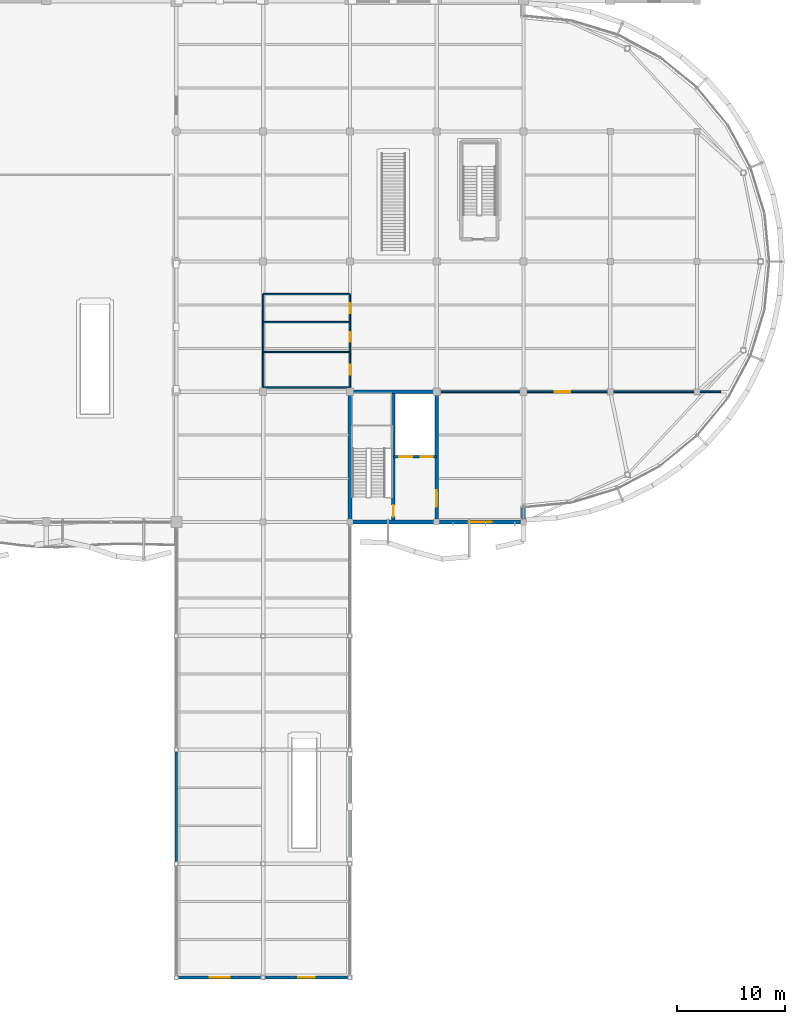
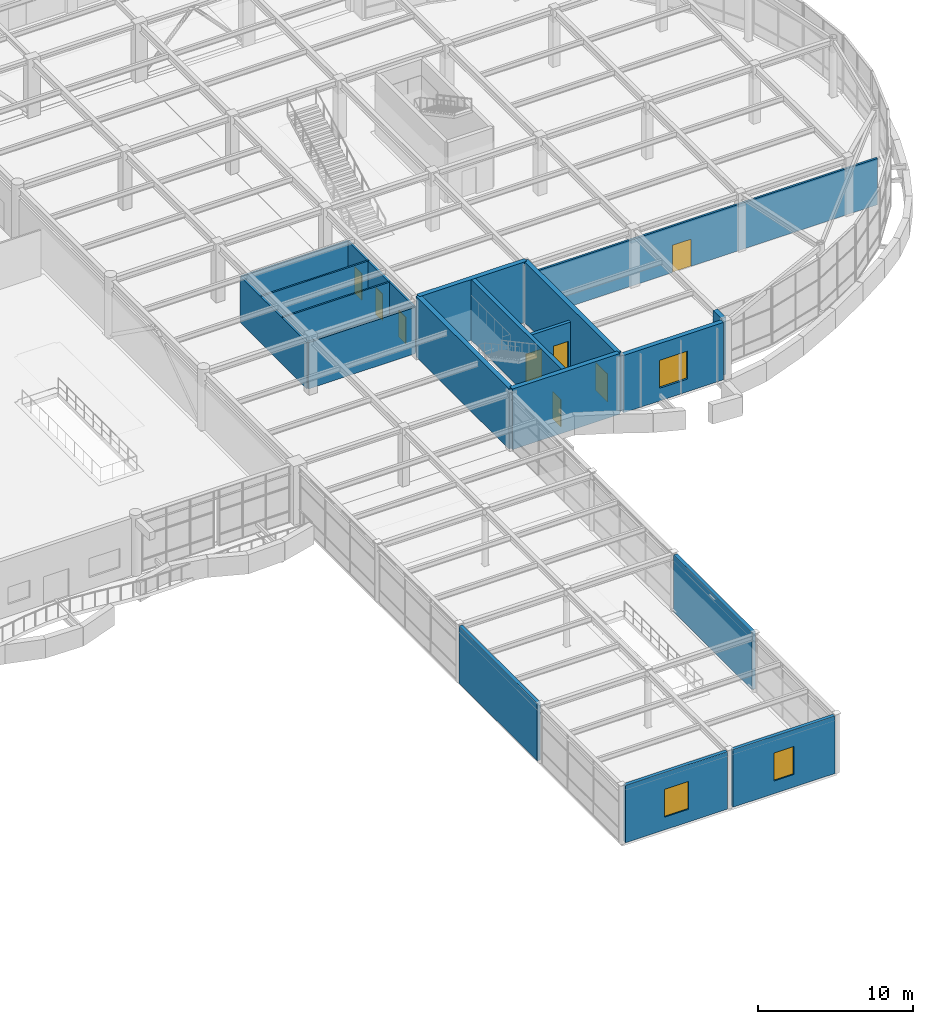
# One storey, part 53 of 72: 19 walls, 8 doors, 3 windows, 11 openings.
"""IFC4 building model written with IfcOpenShell, lengths in metres."""

import ifcopenshell
import ifcopenshell.guid

model = None  # the IFC model being written
_history = None  # IfcOwnerHistory: only IFC2X3 demands one
_inside = {}  # id of a spatial element -> (the spatial element, [elements in it])
_under = {}  # id of a project, library or spatial element -> (it, [spatial elements below it])
_declared = {}  # id of a project -> (the project, [libraries it declares])
_typed = {}  # id of a type object -> (the type object, [elements of that type])
_made_of = {}  # id of a material, layer set ... -> (it, [elements and type objects made of it])


def new_model(schema):
    """Start an empty IFC model of exactly this schema.

    Asked for "IFC4X3", IfcOpenShell would pick the latest addendum, in which some entities
    have other attributes; the version numbers below select the first issue.
    IFC2X3 requires an IfcOwnerHistory on every rooted entity: one is made here for all.
    """
    global model, _history
    if schema == "IFC4X3":
        model = ifcopenshell.file(schema_version=(4, 3, 0, 0))
    else:
        model = ifcopenshell.file(schema=schema)
    _inside.clear()
    _under.clear()
    _declared.clear()
    _typed.clear()
    _made_of.clear()
    _history = None
    if model.schema == "IFC2X3":
        org = make("IfcOrganization", Name="unknown")
        user = make(
            "IfcPersonAndOrganization",
            ThePerson=make("IfcPerson", FamilyName="unknown"),
            TheOrganization=org,
        )
        app = make(
            "IfcApplication",
            ApplicationDeveloper=org,
            Version="unknown",
            ApplicationFullName="unknown",
            ApplicationIdentifier="unknown",
        )
        _history = make(
            "IfcOwnerHistory",
            OwningUser=user,
            OwningApplication=app,
            ChangeAction="ADDED",
            CreationDate=0,
        )
    return model


def make(cls, **values):
    """One entity of the class cls with the attributes given. An attribute that is None is left unset."""
    return model.create_entity(
        cls, **{name: value for name, value in values.items() if value is not None}
    )


def rooted(cls, **values):
    """An entity with a GlobalId (a new one), such as an element, a storey or a relation."""
    return make(cls, GlobalId=ifcopenshell.guid.new(), OwnerHistory=_history, **values)


def si_unit(unit_type, name, prefix=None):
    """IfcSIUnit, for example si_unit("LENGTHUNIT", "METRE", prefix="MILLI")."""
    return make("IfcSIUnit", UnitType=unit_type, Prefix=prefix, Name=name)


def assignment(units):
    """IfcUnitAssignment: the units of a project."""
    return None if units is None else make("IfcUnitAssignment", Units=units)


def point(xyz):
    """IfcCartesianPoint."""
    return None if xyz is None else make("IfcCartesianPoint", Coordinates=xyz)


def direction(xyz):
    """IfcDirection."""
    return None if xyz is None else make("IfcDirection", DirectionRatios=xyz)


def frame(location, z_axis=None, x_axis=None):
    """IfcAxis2Placement3D, a coordinate frame: its origin and axes. An axis left out is left unset."""
    return make(
        "IfcAxis2Placement3D",
        Location=point(location),
        Axis=direction(z_axis),
        RefDirection=direction(x_axis),
    )


def frame_2d(location, x_axis=None):
    """IfcAxis2Placement2D, a coordinate frame in the plane: its origin and x axis."""
    return make(
        "IfcAxis2Placement2D", Location=point(location), RefDirection=direction(x_axis)
    )


def origin():
    """The frame at (0, 0, 0) with its axes left unset."""
    return frame((0.0, 0.0, 0.0))


def place(relative_to, where):
    """IfcLocalPlacement: puts the frame where relative to a parent placement (None: the world)."""
    return make(
        "IfcLocalPlacement", PlacementRelTo=relative_to, RelativePlacement=where
    )


def context(
    kind, dimensions, precision=None, world=None, true_north=None, identifier=None
):
    """IfcGeometricRepresentationContext, for example the 3D "Model" context."""
    return make(
        "IfcGeometricRepresentationContext",
        ContextIdentifier=identifier,
        ContextType=kind,
        CoordinateSpaceDimension=dimensions,
        Precision=precision,
        WorldCoordinateSystem=world,
        TrueNorth=true_north,
    )


def subcontext(parent, identifier, kind, view, scale=None):
    """IfcGeometricRepresentationSubContext, for example "Body" below "Model"."""
    return make(
        "IfcGeometricRepresentationSubContext",
        ContextIdentifier=identifier,
        ContextType=kind,
        ParentContext=parent,
        TargetScale=scale,
        TargetView=view,
    )


def project(units=None, contexts=None):
    """IfcProject with its units and contexts."""
    return rooted(
        "IfcProject",
        Name="project",
        RepresentationContexts=contexts,
        UnitsInContext=assignment(units),
    )


def spatial(cls, under=None, at=None, **own):
    """A site, building, storey or space (cls), placed at a placement, below another one or the project."""
    s = rooted(cls, ObjectPlacement=at, **own)
    if under is not None:
        _under.setdefault(under.id(), (under, []))[1].append(s)
    return s


def profile(cls, at=None, kind="AREA", **sizes):
    """A parametric profile (cls). Its sizes go by their IFC names, for example OverallWidth=200.0."""
    return make(cls, ProfileType=kind, Position=at, **sizes)


def rectangle(**sizes):
    """IfcRectangleProfileDef."""
    return profile("IfcRectangleProfileDef", **sizes)


def extrude(swept, where, along, depth):
    """IfcExtrudedAreaSolid: the profile swept, set in the frame where, extruded along a direction by depth."""
    return make(
        "IfcExtrudedAreaSolid",
        SweptArea=swept,
        Position=where,
        ExtrudedDirection=direction(along),
        Depth=depth,
    )


def shape(context_of_items, identifier, shape_type, items):
    """IfcShapeRepresentation: the items that make up one representation, for example the "Body"."""
    return make(
        "IfcShapeRepresentation",
        ContextOfItems=context_of_items,
        RepresentationIdentifier=identifier,
        RepresentationType=shape_type,
        Items=items,
    )


def material(Name=None, Category=None):
    """IfcMaterial."""
    return make("IfcMaterial", Name=Name, Category=Category)


def layer(
    of_material, thickness, ventilated=None, Name=None, Category=None, Priority=None
):
    """IfcMaterialLayer: one layer of a wall or slab, of a material (None: an air gap)."""
    return make(
        "IfcMaterialLayer",
        Material=of_material,
        LayerThickness=thickness,
        IsVentilated=ventilated,
        Name=Name,
        Category=Category,
        Priority=Priority,
    )


def layer_set(layers, Name=None):
    """IfcMaterialLayerSet."""
    return make("IfcMaterialLayerSet", MaterialLayers=layers, LayerSetName=Name)


def made_of(thing, what):
    """Note that an element or type object is made of a material, layer set ...; save() writes the relation."""
    if what is not None:
        _made_of.setdefault(what.id(), (what, []))[1].append(thing)
    return thing


def type_object(cls, material=None, **own):
    """A type object (cls), such as IfcWallType, which elements share."""
    return made_of(rooted(cls, **own), material)


def element(
    cls,
    number,
    at=None,
    inside=None,
    cuts=None,
    type_object=None,
    material=None,
    context=None,
    identifier="Body",
    shape_type=None,
    held_by="IfcProductDefinitionShape",
    body=None,
    shapes=None,
    **own,
):
    """One element of the class cls, such as IfcWall. Its Tag is "e" and its number.

    at: its placement. inside: the storey or other place that contains it. cuts: it is an
    opening in that element (IfcRelVoidsElement). A single representation is given by context,
    identifier, shape_type and body (its items); several are given by shapes. held_by: the class
    of the entity that holds the representations. save() writes the other relations.
    """
    e = rooted(cls, Tag="e%d" % number, ObjectPlacement=at, **own)
    if body is not None:
        shapes = [shape(context, identifier, shape_type, body)]
    if shapes is not None:
        e.Representation = make(held_by, Representations=shapes)
    if inside is not None:
        _inside.setdefault(inside.id(), (inside, []))[1].append(e)
    if cuts is not None:
        rooted(
            "IfcRelVoidsElement", RelatingBuildingElement=cuts, RelatedOpeningElement=e
        )
    if type_object is not None:
        _typed.setdefault(type_object.id(), (type_object, []))[1].append(e)
    return made_of(e, material)


def fill(opening, filler):
    """IfcRelFillsElement: the door or window that sits in an opening."""
    return rooted(
        "IfcRelFillsElement",
        RelatingOpeningElement=opening,
        RelatedBuildingElement=filler,
    )


def aggregate(whole, parts):
    """IfcRelAggregates: a whole, such as a stair, and the parts it consists of."""
    return rooted("IfcRelAggregates", RelatingObject=whole, RelatedObjects=parts)


def save(model, path):
    """Write the relations noted so far, then the file.

    IfcRelAggregates (storeys below a building ...), IfcRelContainedInSpatialStructure (elements
    in a storey), IfcRelDefinesByType, IfcRelAssociatesMaterial and IfcRelDeclares: one each for
    every whole, place, type object, material and project.
    """
    for whole, parts in _under.values():
        aggregate(whole, parts)
    for where, things in _inside.values():
        rooted(
            "IfcRelContainedInSpatialStructure",
            RelatedElements=things,
            RelatingStructure=where,
        )
    for kind, things in _typed.values():
        rooted("IfcRelDefinesByType", RelatedObjects=things, RelatingType=kind)
    for what, things in _made_of.values():
        rooted("IfcRelAssociatesMaterial", RelatedObjects=things, RelatingMaterial=what)
    for by, libraries in _declared.values():
        rooted("IfcRelDeclares", RelatingContext=by, RelatedDefinitions=libraries)
    model.write(path)


model = new_model("IFC4")

# Units and contexts
model_context = context("Model", 3, precision=1e-05, world=origin(), true_north=direction((0.0, 1.0)))
body_context = subcontext(model_context, "Body", "Model", "MODEL_VIEW")
ifc_project = project(units=[si_unit("LENGTHUNIT", "METRE"), si_unit("AREAUNIT", "SQUARE_METRE"), si_unit("VOLUMEUNIT", "CUBIC_METRE"), si_unit("PLANEANGLEUNIT", "RADIAN"), si_unit("MASSUNIT", "GRAM", prefix="KILO")], contexts=[model_context])

# Site, building, storey
site_placement = place(None, origin())
site = spatial("IfcSite", under=ifc_project, at=site_placement, CompositionType="ELEMENT")
building_placement = place(site_placement, origin())
building = spatial("IfcBuilding", under=site, at=building_placement, Name="Keelwater Ferry Terminal", CompositionType="ELEMENT")
storey_placement = place(building_placement, frame((0.0, 0.0, 5.39990234375)))
storey = spatial("IfcBuildingStorey", under=building, at=storey_placement, Name="L01", CompositionType="ELEMENT", Elevation=5.39990234375)

# Walls
ifc_material_1 = material(Name="Precast concrete C40/50", Category="concrete")
ifc_layer_1 = layer(ifc_material_1, 0.260009765625)
ifc_layer_set_1 = layer_set([ifc_layer_1], Name="Precast concrete C40/50")
wall_type_1 = type_object("IfcWallType", Name="EW-BR260 External Solid Wall 260", PredefinedType="SOLIDWALL", material=ifc_layer_set_1)
for number, where, z_axis, x_axis, name in (
    (1, (132.0, 10.702880859375, 0.0), (0.0, 0.0, 1.0), (0.0, 1.0, 0.0), "External Wall WL-L01-0006"),
    (2, (148.0, 10.702880859375, 0.0), (0.0, 0.0, 1.0), (0.0, 1.0, 0.0), "External Wall WL-L01-0008"),
):
    element("IfcWall", number, at=place(storey_placement, frame(where, z_axis=z_axis, x_axis=x_axis)), inside=storey, type_object=wall_type_1, Name=name, PredefinedType="SOLIDWALL", context=body_context, shape_type="SweptSolid", body=[
        extrude(rectangle(XDim=10.09423828125, YDim=0.260009765625, at=frame_2d((5.047119140625, 0.0))), origin(), (0.0, 0.0, 1.0), 4.52001953125),
    ])

# Wall, opening, window
wall_1_placement = place(storey_placement, frame((139.797119140625, 0.0, 0.0), z_axis=(0.0, 0.0, 1.0), x_axis=(-1.0, 0.0, 0.0)))
wall_1 = element("IfcWall", 3, at=wall_1_placement, inside=storey, type_object=wall_type_1, Name="External Wall WL-L01-0014", PredefinedType="SOLIDWALL", context=body_context, shape_type="SweptSolid", body=[
    extrude(rectangle(XDim=7.59423828125, YDim=0.260009765625, at=frame_2d((3.797119140625, 0.0))), origin(), (0.0, 0.0, 1.0), 4.52001953125),
])
opening_1_placement = place(wall_1_placement, frame((2.89697265625, 0.0, 1.0)))
opening_1 = element("IfcOpeningElement", 4, at=opening_1_placement, cuts=wall_1, Name="Opening WN-03", PredefinedType="OPENING", context=body_context, shape_type="SweptSolid", body=[
    extrude(rectangle(XDim=1.800048828125, YDim=2.199951171875, at=frame_2d((0.89990234375, 1.10009765625))), frame((0.0, 0.139892578125, 0.0), z_axis=(0.0, -1.0, 0.0), x_axis=(1.0, 0.0, 0.0)), (0.0, 0.0, 1.0), 0.280029296875),
])
ifc_material_2 = material(Name="Triple low-E glass in thermally broken aluminium frame", Category="aluminium")
window_type_1 = type_object("IfcWindowType", Name="WN-03 Exterior Window 1800x2200", PartitioningType="SINGLE_PANEL", PredefinedType="WINDOW", material=ifc_material_2)
window_1_placement = place(opening_1_placement, origin())
window_1 = element("IfcWindow", 5, at=window_1_placement, inside=storey, type_object=window_type_1, Name="Window WN-L01-0003", OverallHeight=2.199951171875, OverallWidth=1.800048828125, PartitioningType="SINGLE_PANEL", PredefinedType="WINDOW", context=body_context, shape_type="SweptSolid", body=[
    extrude(rectangle(XDim=1.800048828125, YDim=2.199951171875, at=frame_2d((0.89990234375, 1.10009765625))), frame((0.0, 0.030029296875, 0.0), z_axis=(0.0, -1.0, 0.0), x_axis=(1.0, 0.0, 0.0)), (0.0, 0.0, 1.0), 0.06005859375),
])
fill(opening_1, window_1)

wall_2_placement = place(storey_placement, frame((147.797119140625, 0.0, 0.0), z_axis=(0.0, 0.0, 1.0), x_axis=(-1.0, 0.0, 0.0)))
wall_2 = element("IfcWall", 6, at=wall_2_placement, inside=storey, type_object=wall_type_1, Name="External Wall WL-L01-0016", PredefinedType="SOLIDWALL", context=body_context, shape_type="SweptSolid", body=[
    extrude(rectangle(XDim=7.59423828125, YDim=0.260009765625, at=frame_2d((3.797119140625, 0.0))), origin(), (0.0, 0.0, 1.0), 4.52001953125),
])
opening_2_placement = place(wall_2_placement, frame((3.047119140625, 0.0, 1.0)))
opening_2 = element("IfcOpeningElement", 7, at=opening_2_placement, cuts=wall_2, Name="Opening WN-04", PredefinedType="OPENING", context=body_context, shape_type="SweptSolid", body=[
    extrude(rectangle(XDim=1.5, YDim=2.199951171875, at=frame_2d((0.75, 1.10009765625))), frame((0.0, 0.139892578125, 0.0), z_axis=(0.0, -1.0, 0.0), x_axis=(1.0, 0.0, 0.0)), (0.0, 0.0, 1.0), 0.280029296875),
])
ifc_material_3 = material(Name="Triple low-E glass in thermally broken aluminium frame", Category="aluminium")
window_type_2 = type_object("IfcWindowType", Name="WN-04 Exterior Window 1500x2200", PartitioningType="SINGLE_PANEL", PredefinedType="WINDOW", material=ifc_material_3)
window_2_placement = place(opening_2_placement, origin())
window_2 = element("IfcWindow", 8, at=window_2_placement, inside=storey, type_object=window_type_2, Name="Window WN-L01-0004", OverallHeight=2.199951171875, OverallWidth=1.5, PartitioningType="SINGLE_PANEL", PredefinedType="WINDOW", context=body_context, shape_type="SweptSolid", body=[
    extrude(rectangle(XDim=1.5, YDim=2.199951171875, at=frame_2d((0.75, 1.10009765625))), frame((0.0, 0.030029296875, 0.0), z_axis=(0.0, -1.0, 0.0), x_axis=(1.0, 0.0, 0.0)), (0.0, 0.0, 1.0), 0.06005859375),
])
fill(opening_2, window_2)

# Wall
ifc_material_4 = material(Name="Precast concrete C40/50", Category="concrete")
ifc_layer_2 = layer(ifc_material_4, 0.340087890625)
ifc_layer_set_2 = layer_set([ifc_layer_2], Name="Precast concrete C40/50")
wall_type_2 = type_object("IfcWallType", Name="EW-LM340 External Solid Wall 340", PredefinedType="SOLIDWALL", material=ifc_layer_set_2)
wall_3_placement = place(storey_placement, frame((164.0, 42.27490234375, 0.0), z_axis=(0.0, 0.0, 1.0), x_axis=(0.0, 1.0, 0.0)))
element("IfcWall", 9, at=wall_3_placement, inside=storey, type_object=wall_type_2, Name="External Wall WL-L01-0023", PredefinedType="SOLIDWALL", context=body_context, shape_type="SweptSolid", body=[
    extrude(rectangle(XDim=1.0751953125, YDim=0.340087890625, at=frame_2d((0.53759765625, 0.0))), origin(), (0.0, 0.0, 1.0), 4.52001953125),
])

# Wall, opening, window
wall_4_placement = place(storey_placement, frame((163.72509765625, 42.0, 0.0), z_axis=(0.0, 0.0, 1.0), x_axis=(-1.0, 0.0, 0.0)))
wall_4 = element("IfcWall", 10, at=wall_4_placement, inside=storey, type_object=wall_type_2, Name="External Wall WL-L01-0070", PredefinedType="SOLIDWALL", context=body_context, shape_type="SweptSolid", body=[
    extrude(rectangle(XDim=7.4501953125, YDim=0.340087890625, at=frame_2d((3.72509765625, 0.0))), origin(), (0.0, 0.0, 1.0), 4.52001953125),
])
opening_3_placement = place(wall_4_placement, frame((2.675048828125, 0.0, 1.0)))
opening_3 = element("IfcOpeningElement", 11, at=opening_3_placement, cuts=wall_4, Name="Opening WN-02", PredefinedType="OPENING", context=body_context, shape_type="SweptSolid", body=[
    extrude(rectangle(XDim=2.10009765625, YDim=2.199951171875, at=frame_2d((1.050048828125, 1.10009765625))), frame((0.0, 0.179931640625, 0.0), z_axis=(0.0, -1.0, 0.0), x_axis=(1.0, 0.0, 0.0)), (0.0, 0.0, 1.0), 0.360107421875),
])
ifc_material_5 = material(Name="Triple low-E glass in thermally broken aluminium frame", Category="aluminium")
window_type_3 = type_object("IfcWindowType", Name="WN-02 Exterior Window 2100x2200", PartitioningType="SINGLE_PANEL", PredefinedType="WINDOW", material=ifc_material_5)
window_3_placement = place(opening_3_placement, origin())
window_3 = element("IfcWindow", 12, at=window_3_placement, inside=storey, type_object=window_type_3, Name="Window WN-L01-0034", OverallHeight=2.199951171875, OverallWidth=2.10009765625, PartitioningType="SINGLE_PANEL", PredefinedType="WINDOW", context=body_context, shape_type="SweptSolid", body=[
    extrude(rectangle(XDim=2.10009765625, YDim=2.199951171875, at=frame_2d((1.050048828125, 1.10009765625))), frame((0.0, 0.030029296875, 0.0), z_axis=(0.0, -1.0, 0.0), x_axis=(1.0, 0.0, 0.0)), (0.0, 0.0, 1.0), 0.06005859375),
])
fill(opening_3, window_3)

# Wall, openings, doors
ifc_material_6 = material(Name="Concrete C40/50", Category="concrete")
ifc_layer_3 = layer(ifc_material_6, 0.25)
ifc_layer_set_3 = layer_set([ifc_layer_3], Name="Concrete C40/50")
wall_type_3 = type_object("IfcWallType", Name="IW-250 Solid Wall 250", PredefinedType="SOLIDWALL", material=ifc_layer_set_3)
wall_5_placement = place(storey_placement, frame((156.0, 48.0, 0.0), z_axis=(0.0, 0.0, 1.0), x_axis=(-1.0, 0.0, 0.0)))
wall_5 = element("IfcWall", 13, at=wall_5_placement, inside=storey, type_object=wall_type_3, Name="Interior Wall WL-INT-L01-0102", PredefinedType="SOLIDWALL", context=body_context, shape_type="SweptSolid", body=[
    extrude(rectangle(XDim=4.0, YDim=0.25, at=frame_2d((2.0, 0.0))), origin(), (0.0, 0.0, 1.0), 3.650146484375),
])
opening_4_placement = place(wall_5_placement, frame((0.35009765625, 0.0, 0.0)))
opening_4 = element("IfcOpeningElement", 14, at=opening_4_placement, cuts=wall_5, Name="Opening LD-033", PredefinedType="OPENING", context=body_context, shape_type="SweptSolid", body=[
    extrude(rectangle(XDim=1.10009765625, YDim=2.199951171875, at=frame_2d((0.550048828125, 1.10009765625))), frame((0.0, 0.135009765625, 0.0), z_axis=(0.0, -1.0, 0.0), x_axis=(1.0, 0.0, 0.0)), (0.0, 0.0, 1.0), 0.27001953125),
])
opening_5_placement = place(wall_5_placement, frame((2.25, 0.0, 0.0)))
opening_5 = element("IfcOpeningElement", 15, at=opening_5_placement, cuts=wall_5, Name="Opening LD-034", PredefinedType="OPENING", context=body_context, shape_type="SweptSolid", body=[
    extrude(rectangle(XDim=1.199951171875, YDim=2.199951171875, at=frame_2d((0.60009765625, 1.10009765625))), frame((0.0, 0.135009765625, 0.0), z_axis=(0.0, -1.0, 0.0), x_axis=(1.0, 0.0, 0.0)), (0.0, 0.0, 1.0), 0.27001953125),
])
ifc_material_7 = material(Name="Stainless steel sliding landing doors", Category="steel")
door_type_1 = type_object("IfcDoorType", Name="LD-T1 Lift Landing Door 1100x2200", OperationType="SLIDING_TO_LEFT", PredefinedType="USERDEFINED", material=ifc_material_7)
door_1_placement = place(opening_4_placement, origin())
door_1 = element("IfcDoor", 16, at=door_1_placement, inside=storey, type_object=door_type_1, Name="Door LD-033", ObjectType="LANDING DOOR", OperationType="SLIDING_TO_LEFT", OverallHeight=2.199951171875, OverallWidth=1.10009765625, PredefinedType="USERDEFINED", context=body_context, shape_type="SweptSolid", body=[
    extrude(rectangle(XDim=1.10009765625, YDim=2.199951171875, at=frame_2d((0.550048828125, 1.10009765625))), frame((0.0, 0.02490234375, 0.0), z_axis=(0.0, -1.0, 0.0), x_axis=(1.0, 0.0, 0.0)), (0.0, 0.0, 1.0), 0.050048828125),
])
fill(opening_4, door_1)
ifc_material_8 = material(Name="Stainless steel sliding landing doors", Category="steel")
door_type_2 = type_object("IfcDoorType", Name="LD-T2 Lift Landing Door 1200x2200", OperationType="DOUBLE_DOOR_SLIDING", PredefinedType="USERDEFINED", material=ifc_material_8)
door_2_placement = place(opening_5_placement, origin())
door_2 = element("IfcDoor", 17, at=door_2_placement, inside=storey, type_object=door_type_2, Name="Door LD-034", ObjectType="LANDING DOOR", OperationType="DOUBLE_DOOR_SLIDING", OverallHeight=2.199951171875, OverallWidth=1.199951171875, PredefinedType="USERDEFINED", context=body_context, shape_type="SweptSolid", body=[
    extrude(rectangle(XDim=1.199951171875, YDim=2.199951171875, at=frame_2d((0.60009765625, 1.10009765625))), frame((0.0, 0.02490234375, 0.0), z_axis=(0.0, -1.0, 0.0), x_axis=(1.0, 0.0, 0.0)), (0.0, 0.0, 1.0), 0.050048828125),
])
fill(opening_5, door_2)

# Walls
ifc_material_9 = material(Name="Gypsum board on acoustic steel stud", Category="steel")
ifc_layer_4 = layer(ifc_material_9, 0.125)
ifc_layer_set_4 = layer_set([ifc_layer_4], Name="Gypsum board on acoustic steel stud")
wall_type_4 = type_object("IfcWallType", Name="PT-125 Partition Wall 125", PredefinedType="PARTITIONING", material=ifc_layer_set_4)
for number, where, z_axis, x_axis, name in (
    (18, (140.0, 57.66796875, 0.0), (0.0, 0.0, 1.0), (1.0, 0.0, 0.0), "Interior Wall WL-INT-L01-0212"),
    (19, (140.0, 60.419921875, 0.0), (0.0, 0.0, 1.0), (1.0, 0.0, 0.0), "Interior Wall WL-INT-L01-0213"),
):
    element("IfcWall", number, at=place(storey_placement, frame(where, z_axis=z_axis, x_axis=x_axis)), inside=storey, type_object=wall_type_4, Name=name, PredefinedType="PARTITIONING", context=body_context, shape_type="SweptSolid", body=[
        extrude(rectangle(XDim=8.0, YDim=0.125, at=frame_2d((4.0, 0.0))), origin(), (0.0, 0.0, 1.0), 3.650146484375),
    ])
ifc_material_10 = material(Name="Gypsum board on acoustic steel stud", Category="steel")
ifc_layer_5 = layer(ifc_material_10, 0.14990234375)
ifc_layer_set_5 = layer_set([ifc_layer_5], Name="Gypsum board on acoustic steel stud")
wall_type_5 = type_object("IfcWallType", Name="PT-150 Partition Wall 150", PredefinedType="PARTITIONING", material=ifc_layer_set_5)
wall_6_placement = place(storey_placement, frame((140.0, 54.39990234375, 0.0), z_axis=(0.0, 0.0, 1.0), x_axis=(0.0, 1.0, 0.0)))
element("IfcWall", 20, at=wall_6_placement, inside=storey, type_object=wall_type_5, Name="Interior Wall WL-INT-L01-0208", PredefinedType="PARTITIONING", context=body_context, shape_type="SweptSolid", body=[
    extrude(rectangle(XDim=8.60009765625, YDim=0.14990234375, at=frame_2d((4.300048828125, 0.0))), origin(), (0.0, 0.0, 1.0), 3.650146484375),
])

# Wall, openings, doors
wall_7_placement = place(storey_placement, frame((148.0, 54.39990234375, 0.0), z_axis=(0.0, 0.0, 1.0), x_axis=(0.0, 1.0, 0.0)))
wall_7 = element("IfcWall", 21, at=wall_7_placement, inside=storey, type_object=wall_type_5, Name="Interior Wall WL-INT-L01-0209", PredefinedType="PARTITIONING", context=body_context, shape_type="SweptSolid", body=[
    extrude(rectangle(XDim=8.60009765625, YDim=0.14990234375, at=frame_2d((4.300048828125, 0.0))), origin(), (0.0, 0.0, 1.0), 3.650146484375),
])
opening_6_placement = place(wall_7_placement, frame((1.18408203125, 0.0, 0.0)))
opening_6 = element("IfcOpeningElement", 22, at=opening_6_placement, cuts=wall_7, Name="Opening WD-031", PredefinedType="OPENING", context=body_context, shape_type="SweptSolid", body=[
    extrude(rectangle(XDim=0.89990234375, YDim=2.10009765625, at=frame_2d((0.449951171875, 1.050048828125))), frame((0.0, 0.0849609375, 0.0), z_axis=(0.0, -1.0, 0.0), x_axis=(1.0, 0.0, 0.0)), (0.0, 0.0, 1.0), 0.169921875),
])
opening_7_placement = place(wall_7_placement, frame((4.194091796875, 0.0, 0.0)))
opening_7 = element("IfcOpeningElement", 23, at=opening_7_placement, cuts=wall_7, Name="Opening WD-032", PredefinedType="OPENING", context=body_context, shape_type="SweptSolid", body=[
    extrude(rectangle(XDim=0.89990234375, YDim=2.10009765625, at=frame_2d((0.449951171875, 1.050048828125))), frame((0.0, 0.0849609375, 0.0), z_axis=(0.0, -1.0, 0.0), x_axis=(1.0, 0.0, 0.0)), (0.0, 0.0, 1.0), 0.169921875),
])
opening_8_placement = place(wall_7_placement, frame((6.85009765625, 0.0, 0.0)))
opening_8 = element("IfcOpeningElement", 24, at=opening_8_placement, cuts=wall_7, Name="Opening WD-033", PredefinedType="OPENING", context=body_context, shape_type="SweptSolid", body=[
    extrude(rectangle(XDim=0.919921875, YDim=2.10009765625, at=frame_2d((0.4599609375, 1.050048828125))), frame((0.0, 0.0849609375, 0.0), z_axis=(0.0, -1.0, 0.0), x_axis=(1.0, 0.0, 0.0)), (0.0, 0.0, 1.0), 0.169921875),
])
ifc_material_11 = material(Name="Acoustic oak and fire-rated steel frame door", Category="steel")
door_type_3 = type_object("IfcDoorType", Name="ID-09 Pedestrian Door 920x2100", OperationType="NOTDEFINED", PredefinedType="DOOR", material=ifc_material_11)
door_3_placement = place(opening_8_placement, origin())
door_3 = element("IfcDoor", 25, at=door_3_placement, inside=storey, type_object=door_type_3, Name="Door WD-033", OperationType="SINGLE_SWING_LEFT", OverallHeight=2.10009765625, OverallWidth=0.919921875, PredefinedType="DOOR", context=body_context, shape_type="SweptSolid", body=[
    extrude(rectangle(XDim=0.919921875, YDim=2.10009765625, at=frame_2d((0.4599609375, 1.050048828125))), frame((0.0, 0.02490234375, 0.0), z_axis=(0.0, -1.0, 0.0), x_axis=(1.0, 0.0, 0.0)), (0.0, 0.0, 1.0), 0.050048828125),
])
fill(opening_8, door_3)
ifc_material_12 = material(Name="Acoustic oak and fire-rated steel frame door", Category="steel")
door_type_4 = type_object("IfcDoorType", Name="ID-10 Pedestrian Door 900x2100", OperationType="NOTDEFINED", PredefinedType="DOOR", material=ifc_material_12)
door_4_placement = place(opening_6_placement, origin())
door_4 = element("IfcDoor", 26, at=door_4_placement, inside=storey, type_object=door_type_4, Name="Door WD-031", OperationType="SINGLE_SWING_LEFT", OverallHeight=2.10009765625, OverallWidth=0.89990234375, PredefinedType="DOOR", context=body_context, shape_type="SweptSolid", body=[
    extrude(rectangle(XDim=0.89990234375, YDim=2.10009765625, at=frame_2d((0.449951171875, 1.050048828125))), frame((0.0, 0.02490234375, 0.0), z_axis=(0.0, -1.0, 0.0), x_axis=(1.0, 0.0, 0.0)), (0.0, 0.0, 1.0), 0.050048828125),
])
fill(opening_6, door_4)
door_5_placement = place(opening_7_placement, origin())
door_5 = element("IfcDoor", 27, at=door_5_placement, inside=storey, type_object=door_type_4, Name="Door WD-032", OperationType="SINGLE_SWING_RIGHT", OverallHeight=2.10009765625, OverallWidth=0.89990234375, PredefinedType="DOOR", context=body_context, shape_type="SweptSolid", body=[
    extrude(rectangle(XDim=0.89990234375, YDim=2.10009765625, at=frame_2d((0.449951171875, 1.050048828125))), frame((0.0, 0.02490234375, 0.0), z_axis=(0.0, -1.0, 0.0), x_axis=(1.0, 0.0, 0.0)), (0.0, 0.0, 1.0), 0.050048828125),
])
fill(opening_7, door_5)

# Walls
for number, where, z_axis, x_axis, name in (
    (28, (140.0, 63.0, 0.0), (0.0, 0.0, 1.0), (1.0, 0.0, 0.0), "Interior Wall WL-INT-L01-0210"),
    (29, (140.0, 54.39990234375, 0.0), (0.0, 0.0, 1.0), (1.0, 0.0, 0.0), "Interior Wall WL-INT-L01-0211"),
):
    element("IfcWall", number, at=place(storey_placement, frame(where, z_axis=z_axis, x_axis=x_axis)), inside=storey, type_object=wall_type_5, Name=name, PredefinedType="PARTITIONING", context=body_context, shape_type="SweptSolid", body=[
        extrude(rectangle(XDim=8.0, YDim=0.14990234375, at=frame_2d((4.0, 0.0))), origin(), (0.0, 0.0, 1.0), 3.650146484375),
    ])

# Wall, opening, door
wall_8_placement = place(storey_placement, frame((156.39990234375, 54.0, 0.0), z_axis=(0.0, 0.0, 1.0), x_axis=(1.0, 0.0, 0.0)))
wall_8 = element("IfcWall", 30, at=wall_8_placement, inside=storey, type_object=wall_type_5, Name="Interior Wall WL-INT-L01-0247", PredefinedType="PARTITIONING", context=body_context, shape_type="SweptSolid", body=[
    extrude(rectangle(XDim=25.800048828125, YDim=0.14990234375, at=frame_2d((12.89990234375, 0.0))), origin(), (0.0, 0.0, 1.0), 3.650146484375),
])
opening_9_placement = place(wall_8_placement, frame((10.5, 0.0, 0.0)))
opening_9 = element("IfcOpeningElement", 31, at=opening_9_placement, cuts=wall_8, Name="Opening DR-028", PredefinedType="OPENING", context=body_context, shape_type="SweptSolid", body=[
    extrude(rectangle(XDim=1.39990234375, YDim=2.14990234375, at=frame_2d((0.699951171875, 1.074951171875))), frame((0.0, 0.0849609375, 0.0), z_axis=(0.0, -1.0, 0.0), x_axis=(1.0, 0.0, 0.0)), (0.0, 0.0, 1.0), 0.169921875),
])
ifc_material_13 = material(Name="Acoustic oak and fire-rated steel frame door", Category="steel")
door_type_5 = type_object("IfcDoorType", Name="ID-03 Pedestrian Door 1400x2150", OperationType="DOUBLE_DOOR_SINGLE_SWING", PredefinedType="DOOR", material=ifc_material_13)
door_6_placement = place(opening_9_placement, origin())
door_6 = element("IfcDoor", 32, at=door_6_placement, inside=storey, type_object=door_type_5, Name="Door DR-028", OperationType="DOUBLE_DOOR_SINGLE_SWING", OverallHeight=2.14990234375, OverallWidth=1.39990234375, PredefinedType="DOOR", context=body_context, shape_type="SweptSolid", body=[
    extrude(rectangle(XDim=1.39990234375, YDim=2.14990234375, at=frame_2d((0.699951171875, 1.074951171875))), frame((0.0, 0.02490234375, 0.0), z_axis=(0.0, -1.0, 0.0), x_axis=(1.0, 0.0, 0.0)), (0.0, 0.0, 1.0), 0.050048828125),
])
fill(opening_9, door_6)

ifc_material_14 = material(Name="Concrete C45/55", Category="concrete")
ifc_layer_6 = layer(ifc_material_14, 0.300048828125)
ifc_layer_set_6 = layer_set([ifc_layer_6], Name="Concrete C45/55")
wall_type_6 = type_object("IfcWallType", Name="SW-300 Shear Wall 300", PredefinedType="SHEAR", material=ifc_layer_set_6)
wall_9_placement = place(storey_placement, frame((152.0, 54.0, 0.0), z_axis=(0.0, 0.0, 1.0), x_axis=(0.0, -1.0, 0.0)))
wall_9 = element("IfcWall", 33, at=wall_9_placement, inside=storey, type_object=wall_type_6, Name="Interior Wall WL-INT-L01-0101", PredefinedType="SHEAR", context=body_context, shape_type="SweptSolid", body=[
    extrude(rectangle(XDim=12.0, YDim=0.300048828125, at=frame_2d((6.0, 0.0))), origin(), (0.0, 0.0, 1.0), 4.780029296875),
])
opening_10_placement = place(wall_9_placement, frame((10.449951171875, 0.0, 0.0)))
opening_10 = element("IfcOpeningElement", 34, at=opening_10_placement, cuts=wall_9, Name="Opening FD-033", PredefinedType="OPENING", context=body_context, shape_type="SweptSolid", body=[
    extrude(rectangle(XDim=1.050048828125, YDim=2.14990234375, at=frame_2d((0.52490234375, 1.074951171875))), frame((0.0, 0.159912109375, 0.0), z_axis=(0.0, -1.0, 0.0), x_axis=(1.0, 0.0, 0.0)), (0.0, 0.0, 1.0), 0.320068359375),
])
ifc_material_15 = material(Name="Acoustic oak and fire-rated steel frame door", Category="steel")
door_type_6 = type_object("IfcDoorType", Name="ID-06 Pedestrian Door 1050x2150", OperationType="NOTDEFINED", PredefinedType="DOOR", material=ifc_material_15)
door_7_placement = place(opening_10_placement, origin())
door_7 = element("IfcDoor", 35, at=door_7_placement, inside=storey, type_object=door_type_6, Name="Door FD-033", OperationType="SINGLE_SWING_LEFT", OverallHeight=2.14990234375, OverallWidth=1.050048828125, PredefinedType="DOOR", context=body_context, shape_type="SweptSolid", body=[
    extrude(rectangle(XDim=1.050048828125, YDim=2.14990234375, at=frame_2d((0.52490234375, 1.074951171875))), frame((0.0, 0.02490234375, 0.0), z_axis=(0.0, -1.0, 0.0), x_axis=(1.0, 0.0, 0.0)), (0.0, 0.0, 1.0), 0.050048828125),
])
fill(opening_10, door_7)

# Walls
ifc_material_16 = material(Name="Concrete C45/55", Category="concrete")
ifc_layer_7 = layer(ifc_material_16, 0.35009765625)
ifc_layer_set_7 = layer_set([ifc_layer_7], Name="Concrete C45/55")
wall_type_7 = type_object("IfcWallType", Name="SW-350 Shear Wall 350", PredefinedType="SHEAR", material=ifc_layer_set_7)
for number, where, z_axis, x_axis, name in (
    (36, (148.0, 42.0, 0.0), (0.0, 0.0, 1.0), (1.0, 0.0, 0.0), "Interior Wall WL-INT-L01-0097"),
    (37, (148.0, 54.0, 0.0), (0.0, 0.0, 1.0), (1.0, 0.0, 0.0), "Interior Wall WL-INT-L01-0098"),
):
    element("IfcWall", number, at=place(storey_placement, frame(where, z_axis=z_axis, x_axis=x_axis)), inside=storey, type_object=wall_type_7, Name=name, PredefinedType="SHEAR", context=body_context, shape_type="SweptSolid", body=[
        extrude(rectangle(XDim=8.0, YDim=0.35009765625, at=frame_2d((4.0, 0.0))), origin(), (0.0, 0.0, 1.0), 4.780029296875),
    ])
wall_10_placement = place(storey_placement, frame((148.0, 42.0, 0.0), z_axis=(0.0, 0.0, 1.0), x_axis=(0.0, 1.0, 0.0)))
element("IfcWall", 38, at=wall_10_placement, inside=storey, type_object=wall_type_7, Name="Interior Wall WL-INT-L01-0099", PredefinedType="SHEAR", context=body_context, shape_type="SweptSolid", body=[
    extrude(rectangle(XDim=12.0, YDim=0.35009765625, at=frame_2d((6.0, 0.0))), origin(), (0.0, 0.0, 1.0), 4.780029296875),
])

# Wall, opening, door
wall_11_placement = place(storey_placement, frame((156.0, 42.0, 0.0), z_axis=(0.0, 0.0, 1.0), x_axis=(0.0, 1.0, 0.0)))
wall_11 = element("IfcWall", 39, at=wall_11_placement, inside=storey, type_object=wall_type_7, Name="Interior Wall WL-INT-L01-0100", PredefinedType="SHEAR", context=body_context, shape_type="SweptSolid", body=[
    extrude(rectangle(XDim=12.0, YDim=0.35009765625, at=frame_2d((6.0, 0.0))), origin(), (0.0, 0.0, 1.0), 4.780029296875),
])
opening_11_placement = place(wall_11_placement, frame((1.39990234375, 0.0, 0.0)))
opening_11 = element("IfcOpeningElement", 40, at=opening_11_placement, cuts=wall_11, Name="Opening FD-034", PredefinedType="OPENING", context=body_context, shape_type="SweptSolid", body=[
    extrude(rectangle(XDim=1.5, YDim=2.199951171875, at=frame_2d((0.75, 1.10009765625))), frame((0.0, 0.18505859375, 0.0), z_axis=(0.0, -1.0, 0.0), x_axis=(1.0, 0.0, 0.0)), (0.0, 0.0, 1.0), 0.3701171875),
])
ifc_material_17 = material(Name="Acoustic oak and fire-rated steel frame door", Category="steel")
door_type_7 = type_object("IfcDoorType", Name="ID-02 Pedestrian Door 1500x2200", OperationType="DOUBLE_DOOR_SINGLE_SWING", PredefinedType="DOOR", material=ifc_material_17)
door_8_placement = place(opening_11_placement, origin())
door_8 = element("IfcDoor", 41, at=door_8_placement, inside=storey, type_object=door_type_7, Name="Door FD-034", OperationType="DOUBLE_DOOR_SINGLE_SWING", OverallHeight=2.199951171875, OverallWidth=1.5, PredefinedType="DOOR", context=body_context, shape_type="SweptSolid", body=[
    extrude(rectangle(XDim=1.5, YDim=2.199951171875, at=frame_2d((0.75, 1.10009765625))), frame((0.0, 0.02490234375, 0.0), z_axis=(0.0, -1.0, 0.0), x_axis=(1.0, 0.0, 0.0)), (0.0, 0.0, 1.0), 0.050048828125),
])
fill(opening_11, door_8)

save(model, "model.ifc")
